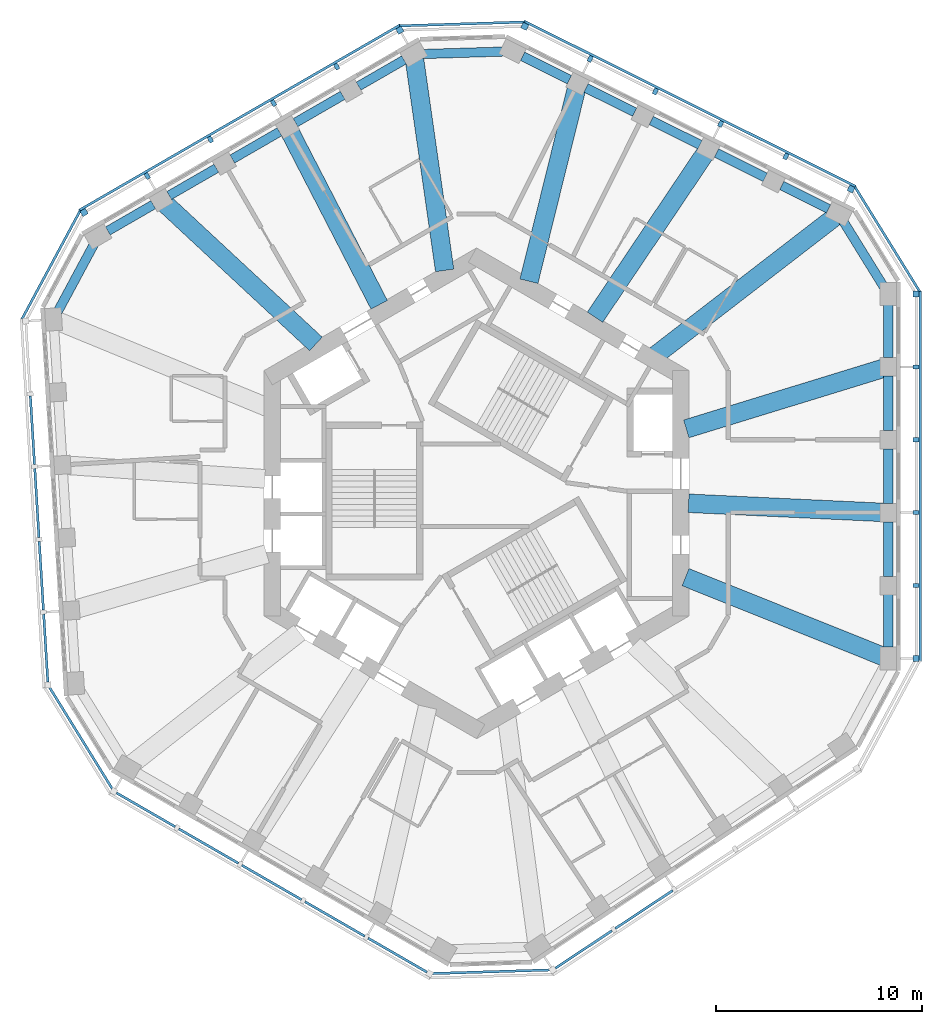
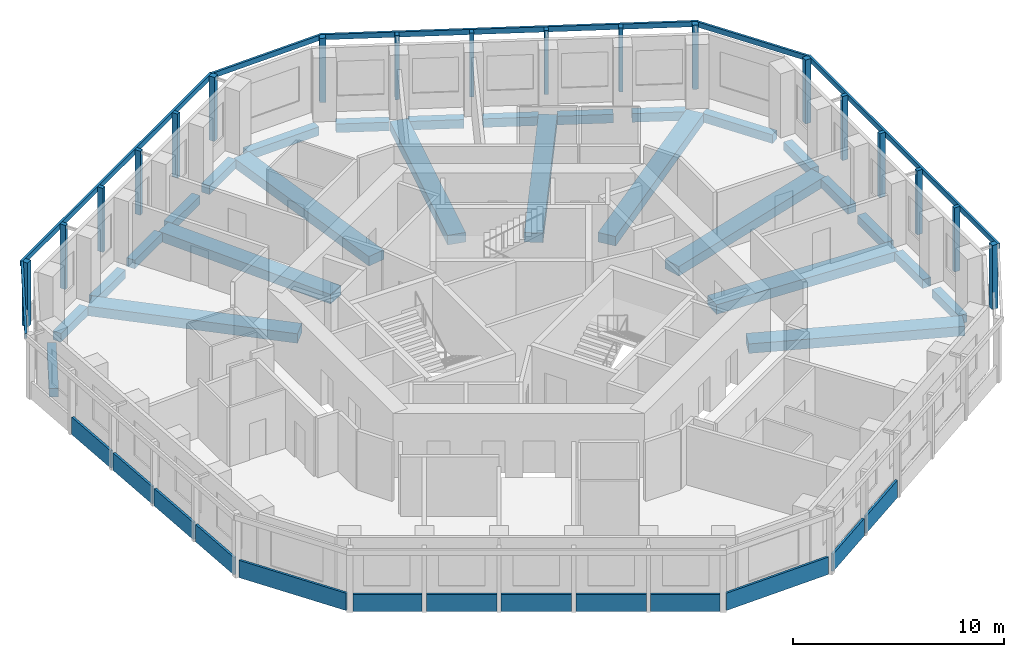
# One storey, part 2 of 11: 27 beams, 24 members, 13 plates, 11 elements without a shape of their own.
"""IFC4 building model written with IfcOpenShell, lengths in metres."""

from ifc_helpers import new_model, si_unit, direction, frame, origin, origin_2d, place, context, subcontext, project, spatial, rectangle, extrude, material, layer, layer_set, material_profile, profile_set, type_object, element, aggregate, save


model = new_model("IFC4")

# Units and contexts
model_context = context("Model", 3, precision=1e-05, world=origin(), true_north=direction((0.0, 1.0)))
body_context = subcontext(model_context, "Body", "Model", "MODEL_VIEW")
ifc_project = project(units=[si_unit("LENGTHUNIT", "METRE"), si_unit("AREAUNIT", "SQUARE_METRE"), si_unit("VOLUMEUNIT", "CUBIC_METRE"), si_unit("PLANEANGLEUNIT", "RADIAN"), si_unit("MASSUNIT", "GRAM", prefix="KILO")], contexts=[model_context])

# Site, building, storey
site_placement = place(None, origin())
site = spatial("IfcSite", under=ifc_project, at=site_placement, CompositionType="ELEMENT")
building_placement = place(site_placement, origin())
building = spatial("IfcBuilding", under=site, at=building_placement, Name="Vanh Sen Convention Tower", CompositionType="ELEMENT")
storey_placement = place(building_placement, frame((0.0, 0.0, 236.5)))
storey = spatial("IfcBuildingStorey", under=building, at=storey_placement, Name="L58", CompositionType="ELEMENT", Elevation=236.5)

# Curtain wall, members
ifc_material_1 = material(Name="Concrete C50/60", Category="concrete")
curtain_wall_type = type_object("IfcCurtainWallType", Name="Outer skin office zone", PredefinedType="NOTDEFINED", material=ifc_material_1)
curtain_wall_1_placement = place(storey_placement, origin())
curtain_wall_1 = element("IfcCurtainWall", 1, at=curtain_wall_1_placement, inside=storey, type_object=curtain_wall_type, Name="OUTER SKIN E L58", PredefinedType="NOTDEFINED")
ifc_material_profile_1 = material_profile(ifc_material_1, rectangle(XDim=0.300048828125, YDim=0.300048828125, at=origin_2d()), Name="Outer skin precast corner fin 300 x 300")
ifc_profile_set_1 = profile_set([ifc_material_profile_1], Name="Concrete C50/60")
member_type_1 = type_object("IfcMemberType", Name="Outer skin precast corner fin 300 x 300", PredefinedType="MULLION", material=ifc_profile_set_1)
member_1_placement = place(storey_placement, frame((21.300048828125, -8.002685546875, 0.0), z_axis=(0.0, 0.0, 1.0), x_axis=(0.0, 1.0, 0.0)))
member_1 = element("IfcMember", 2, at=member_1_placement, type_object=member_type_1, Name="OUTER SKIN CORNER FIN 1 E L58", PredefinedType="MULLION", context=body_context, shape_type="SweptSolid", body=[
    extrude(rectangle(XDim=0.300048828125, YDim=0.300048828125, at=origin_2d()), origin(), (0.0, 0.0, 1.0), 3.699951171875),
])
member_2_placement = place(storey_placement, frame((21.300048828125, 9.665283203125, 0.0), z_axis=(0.0, 0.0, 1.0), x_axis=(0.0, 1.0, 0.0)))
member_2 = element("IfcMember", 3, at=member_2_placement, type_object=member_type_1, Name="OUTER SKIN CORNER FIN 6 E L58", PredefinedType="MULLION", context=body_context, shape_type="SweptSolid", body=[
    extrude(rectangle(XDim=0.300048828125, YDim=0.300048828125, at=origin_2d()), origin(), (0.0, 0.0, 1.0), 3.699951171875),
])

curtain_wall_2_placement = place(storey_placement, origin())
curtain_wall_2 = element("IfcCurtainWall", 4, at=curtain_wall_2_placement, inside=storey, type_object=curtain_wall_type, Name="OUTER SKIN NE L58", PredefinedType="NOTDEFINED")
member_3_placement = place(storey_placement, frame((18.15380859375, 14.74951171875, 0.0), z_axis=(0.0, 0.0, 1.0), x_axis=(-0.894934361602, 0.44619781311, 0.0)))
member_3 = element("IfcMember", 5, at=member_3_placement, type_object=member_type_1, Name="OUTER SKIN CORNER FIN 1 NE L58", PredefinedType="MULLION", context=body_context, shape_type="SweptSolid", body=[
    extrude(rectangle(XDim=0.300048828125, YDim=0.300048828125, at=origin_2d()), origin(), (0.0, 0.0, 1.0), 3.699951171875),
])
member_4_placement = place(storey_placement, frame((2.342041015625, 22.633056640625, 0.0), z_axis=(0.0, 0.0, 1.0), x_axis=(-0.894934361602, 0.44619781311, 0.0)))
member_4 = element("IfcMember", 6, at=member_4_placement, type_object=member_type_1, Name="OUTER SKIN CORNER FIN 6 NE L58", PredefinedType="MULLION", context=body_context, shape_type="SweptSolid", body=[
    extrude(rectangle(XDim=0.300048828125, YDim=0.300048828125, at=origin_2d()), origin(), (0.0, 0.0, 1.0), 3.699951171875),
])

curtain_wall_3_placement = place(storey_placement, origin())
curtain_wall_3 = element("IfcCurtainWall", 7, at=curtain_wall_3_placement, inside=storey, type_object=curtain_wall_type, Name="OUTER SKIN NW L58", PredefinedType="NOTDEFINED")
member_5_placement = place(storey_placement, frame((-3.719482421875, 22.44775390625, 0.0), z_axis=(0.0, 0.0, 1.0), x_axis=(-0.866025403784, -0.5, 0.0)))
member_5 = element("IfcMember", 8, at=member_5_placement, type_object=member_type_1, Name="OUTER SKIN CORNER FIN 1 NW L58", PredefinedType="MULLION", context=body_context, shape_type="SweptSolid", body=[
    extrude(rectangle(XDim=0.300048828125, YDim=0.300048828125, at=origin_2d()), origin(), (0.0, 0.0, 1.0), 3.699951171875),
])
member_6_placement = place(storey_placement, frame((-19.0205078125, 13.613525390625, 0.0), z_axis=(0.0, 0.0, 1.0), x_axis=(-0.866025403784, -0.5, 0.0)))
member_6 = element("IfcMember", 9, at=member_6_placement, type_object=member_type_1, Name="OUTER SKIN CORNER FIN 6 NW L58", PredefinedType="MULLION", context=body_context, shape_type="SweptSolid", body=[
    extrude(rectangle(XDim=0.300048828125, YDim=0.300048828125, at=origin_2d()), origin(), (0.0, 0.0, 1.0), 3.699951171875),
])

# Member
ifc_material_profile_2 = material_profile(ifc_material_1, rectangle(XDim=0.199951171875, YDim=0.300048828125, at=origin_2d()), Name="Outer skin precast fin 200 x 300")
ifc_profile_set_2 = profile_set([ifc_material_profile_2], Name="Concrete C50/60")
member_type_2 = type_object("IfcMemberType", Name="Outer skin precast fin 200 x 300", PredefinedType="MULLION", material=ifc_profile_set_2)
member_7_placement = place(storey_placement, frame((21.300048828125, -4.46923828125, 0.0), z_axis=(0.0, 0.0, 1.0), x_axis=(0.0, 1.0, 0.0)))
member_7 = element("IfcMember", 10, at=member_7_placement, type_object=member_type_2, Name="OUTER SKIN fin 2 E L58", PredefinedType="MULLION", context=body_context, shape_type="SweptSolid", body=[
    extrude(rectangle(XDim=0.199951171875, YDim=0.300048828125, at=origin_2d()), origin(), (0.0, 0.0, 1.0), 3.699951171875),
])

member_8_placement = place(storey_placement, frame((21.300048828125, -0.935546875, 0.0), z_axis=(0.0, 0.0, 1.0), x_axis=(0.0, 1.0, 0.0)))
member_8 = element("IfcMember", 11, at=member_8_placement, type_object=member_type_2, Name="OUTER SKIN fin 3 E L58", PredefinedType="MULLION", context=body_context, shape_type="SweptSolid", body=[
    extrude(rectangle(XDim=0.199951171875, YDim=0.300048828125, at=origin_2d()), origin(), (0.0, 0.0, 1.0), 3.699951171875),
])

member_9_placement = place(storey_placement, frame((21.300048828125, 2.59814453125, 0.0), z_axis=(0.0, 0.0, 1.0), x_axis=(0.0, 1.0, 0.0)))
member_9 = element("IfcMember", 12, at=member_9_placement, type_object=member_type_2, Name="OUTER SKIN fin 4 E L58", PredefinedType="MULLION", context=body_context, shape_type="SweptSolid", body=[
    extrude(rectangle(XDim=0.199951171875, YDim=0.300048828125, at=origin_2d()), origin(), (0.0, 0.0, 1.0), 3.699951171875),
])

member_10_placement = place(storey_placement, frame((21.300048828125, 6.131591796875, 0.0), z_axis=(0.0, 0.0, 1.0), x_axis=(0.0, 1.0, 0.0)))
member_10 = element("IfcMember", 13, at=member_10_placement, type_object=member_type_2, Name="OUTER SKIN fin 5 E L58", PredefinedType="MULLION", context=body_context, shape_type="SweptSolid", body=[
    extrude(rectangle(XDim=0.199951171875, YDim=0.300048828125, at=origin_2d()), origin(), (0.0, 0.0, 1.0), 3.699951171875),
])

member_11_placement = place(storey_placement, frame((14.99169921875, 16.326171875, 0.0), z_axis=(0.0, 0.0, 1.0), x_axis=(-0.894934361602, 0.44619781311, 0.0)))
member_11 = element("IfcMember", 14, at=member_11_placement, type_object=member_type_2, Name="OUTER SKIN fin 2 NE L58", PredefinedType="MULLION", context=body_context, shape_type="SweptSolid", body=[
    extrude(rectangle(XDim=0.199951171875, YDim=0.300048828125, at=origin_2d()), origin(), (0.0, 0.0, 1.0), 3.699951171875),
])

member_12_placement = place(storey_placement, frame((11.8291015625, 17.90283203125, 0.0), z_axis=(0.0, 0.0, 1.0), x_axis=(-0.894934361602, 0.44619781311, 0.0)))
member_12 = element("IfcMember", 15, at=member_12_placement, type_object=member_type_2, Name="OUTER SKIN fin 3 NE L58", PredefinedType="MULLION", context=body_context, shape_type="SweptSolid", body=[
    extrude(rectangle(XDim=0.199951171875, YDim=0.300048828125, at=origin_2d()), origin(), (0.0, 0.0, 1.0), 3.699951171875),
])

member_13_placement = place(storey_placement, frame((8.666748046875, 19.4794921875, 0.0), z_axis=(0.0, 0.0, 1.0), x_axis=(-0.894934361602, 0.44619781311, 0.0)))
member_13 = element("IfcMember", 16, at=member_13_placement, type_object=member_type_2, Name="OUTER SKIN fin 4 NE L58", PredefinedType="MULLION", context=body_context, shape_type="SweptSolid", body=[
    extrude(rectangle(XDim=0.199951171875, YDim=0.300048828125, at=origin_2d()), origin(), (0.0, 0.0, 1.0), 3.699951171875),
])

member_14_placement = place(storey_placement, frame((5.50439453125, 21.056396484375, 0.0), z_axis=(0.0, 0.0, 1.0), x_axis=(-0.894934361602, 0.44619781311, 0.0)))
member_14 = element("IfcMember", 17, at=member_14_placement, type_object=member_type_2, Name="OUTER SKIN fin 5 NE L58", PredefinedType="MULLION", context=body_context, shape_type="SweptSolid", body=[
    extrude(rectangle(XDim=0.199951171875, YDim=0.300048828125, at=origin_2d()), origin(), (0.0, 0.0, 1.0), 3.699951171875),
])

member_15_placement = place(storey_placement, frame((-6.779541015625, 20.680908203125, 0.0), z_axis=(0.0, 0.0, 1.0), x_axis=(-0.866025403784, -0.5, 0.0)))
member_15 = element("IfcMember", 18, at=member_15_placement, type_object=member_type_2, Name="OUTER SKIN fin 2 NW L58", PredefinedType="MULLION", context=body_context, shape_type="SweptSolid", body=[
    extrude(rectangle(XDim=0.199951171875, YDim=0.300048828125, at=origin_2d()), origin(), (0.0, 0.0, 1.0), 3.699951171875),
])

member_16_placement = place(storey_placement, frame((-9.83984375, 18.9140625, 0.0), z_axis=(0.0, 0.0, 1.0), x_axis=(-0.866025403784, -0.5, 0.0)))
member_16 = element("IfcMember", 19, at=member_16_placement, type_object=member_type_2, Name="OUTER SKIN fin 3 NW L58", PredefinedType="MULLION", context=body_context, shape_type="SweptSolid", body=[
    extrude(rectangle(XDim=0.199951171875, YDim=0.300048828125, at=origin_2d()), origin(), (0.0, 0.0, 1.0), 3.699951171875),
])

member_17_placement = place(storey_placement, frame((-12.89990234375, 17.147216796875, 0.0), z_axis=(0.0, 0.0, 1.0), x_axis=(-0.866025403784, -0.5, 0.0)))
member_17 = element("IfcMember", 20, at=member_17_placement, type_object=member_type_2, Name="OUTER SKIN fin 4 NW L58", PredefinedType="MULLION", context=body_context, shape_type="SweptSolid", body=[
    extrude(rectangle(XDim=0.199951171875, YDim=0.300048828125, at=origin_2d()), origin(), (0.0, 0.0, 1.0), 3.699951171875),
])

member_18_placement = place(storey_placement, frame((-15.960205078125, 15.38037109375, 0.0), z_axis=(0.0, 0.0, 1.0), x_axis=(-0.866025403784, -0.5, 0.0)))
member_18 = element("IfcMember", 21, at=member_18_placement, type_object=member_type_2, Name="OUTER SKIN fin 5 NW L58", PredefinedType="MULLION", context=body_context, shape_type="SweptSolid", body=[
    extrude(rectangle(XDim=0.199951171875, YDim=0.300048828125, at=origin_2d()), origin(), (0.0, 0.0, 1.0), 3.699951171875),
])

ifc_material_profile_3 = material_profile(ifc_material_1, rectangle(XDim=0.1201171875, YDim=0.300048828125, at=origin_2d()), Name="Outer skin precast spandrel band 300 x 120")
ifc_profile_set_3 = profile_set([ifc_material_profile_3], Name="Concrete C50/60")
member_type_3 = type_object("IfcMemberType", Name="Outer skin precast spandrel band 300 x 120", PredefinedType="USERDEFINED", material=ifc_profile_set_3)
member_19_placement = place(storey_placement, frame((21.510009765625, -8.15283203125, 3.550048828125), z_axis=(0.0, 1.0, 0.0), x_axis=(-1.0, 0.0, 0.0)))
member_19 = element("IfcMember", 22, at=member_19_placement, type_object=member_type_3, Name="OUTER SKIN spandrel band E L58", ObjectType="TRANSOM", PredefinedType="USERDEFINED", context=body_context, shape_type="SweptSolid", body=[
    extrude(rectangle(XDim=0.1201171875, YDim=0.300048828125, at=origin_2d()), origin(), (0.0, 0.0, 1.0), 17.96826171875),
])

aggregate(curtain_wall_1, [member_1, member_7, member_8, member_9, member_10, member_2, member_19])

# Curtain wall, member
curtain_wall_4_placement = place(storey_placement, origin())
curtain_wall_4 = element("IfcCurtainWall", 23, at=curtain_wall_4_placement, inside=storey, type_object=curtain_wall_type, Name="OUTER SKIN CH1 L58", PredefinedType="NOTDEFINED")
member_20_placement = place(storey_placement, frame((21.478515625, 9.77587890625, 3.550048828125), z_axis=(-0.526187318786, 0.850368688011, 0.0), x_axis=(-0.850368688011, -0.526187318786, 0.0)))
member_20 = element("IfcMember", 24, at=member_20_placement, type_object=member_type_3, Name="OUTER SKIN spandrel band CH1 L58", ObjectType="TRANSOM", PredefinedType="USERDEFINED", context=body_context, shape_type="SweptSolid", body=[
    extrude(rectangle(XDim=0.1201171875, YDim=0.300048828125, at=origin_2d()), origin(), (0.0, 0.0, 1.0), 5.978759765625),
])
aggregate(curtain_wall_4, [member_20])

# Member
member_21_placement = place(storey_placement, frame((18.3818359375, 14.87060546875, 3.550048828125), z_axis=(-0.894940208367, 0.446186086121, 0.0), x_axis=(-0.446186086121, -0.894940208367, 0.0)))
member_21 = element("IfcMember", 25, at=member_21_placement, type_object=member_type_3, Name="OUTER SKIN spandrel band NE L58", ObjectType="TRANSOM", PredefinedType="USERDEFINED", context=body_context, shape_type="SweptSolid", body=[
    extrude(rectangle(XDim=0.1201171875, YDim=0.300048828125, at=origin_2d()), origin(), (0.0, 0.0, 1.0), 17.968017578125),
])

aggregate(curtain_wall_2, [member_3, member_11, member_12, member_13, member_14, member_4, member_21])

# Curtain wall, member
curtain_wall_5_placement = place(storey_placement, origin())
curtain_wall_5 = element("IfcCurtainWall", 26, at=curtain_wall_5_placement, inside=storey, type_object=curtain_wall_type, Name="OUTER SKIN CH2 L58", PredefinedType="NOTDEFINED")
member_22_placement = place(storey_placement, frame((2.335693359375, 22.843017578125, 3.550048828125), z_axis=(-0.999533054911, -0.030556049165, 0.0), x_axis=(0.030556049165, -0.999533054911, 0.0)))
member_22 = element("IfcMember", 27, at=member_22_placement, type_object=member_type_3, Name="OUTER SKIN spandrel band CH2 L58", ObjectType="TRANSOM", PredefinedType="USERDEFINED", context=body_context, shape_type="SweptSolid", body=[
    extrude(rectangle(XDim=0.1201171875, YDim=0.300048828125, at=origin_2d()), origin(), (0.0, 0.0, 1.0), 6.064453125),
])
aggregate(curtain_wall_5, [member_22])

# Member
member_23_placement = place(storey_placement, frame((-3.694580078125, 22.70458984375, 3.550048828125), z_axis=(-0.866022898019, -0.500004340088, 0.0), x_axis=(0.500004340088, -0.866022898019, 0.0)))
member_23 = element("IfcMember", 28, at=member_23_placement, type_object=member_type_3, Name="OUTER SKIN spandrel band NW L58", ObjectType="TRANSOM", PredefinedType="USERDEFINED", context=body_context, shape_type="SweptSolid", body=[
    extrude(rectangle(XDim=0.1201171875, YDim=0.300048828125, at=origin_2d()), origin(), (0.0, 0.0, 1.0), 17.968017578125),
])

aggregate(curtain_wall_3, [member_5, member_15, member_16, member_17, member_18, member_6, member_23])

# Curtain wall, member
curtain_wall_6_placement = place(storey_placement, origin())
curtain_wall_6 = element("IfcCurtainWall", 29, at=curtain_wall_6_placement, inside=storey, type_object=curtain_wall_type, Name="OUTER SKIN CH3 L58", PredefinedType="NOTDEFINED")
member_24_placement = place(storey_placement, frame((-19.20556640625, 13.712890625, 3.550048828125), z_axis=(-0.473317965247, -0.880891652688, 0.0), x_axis=(0.880891652688, -0.473317965247, 0.0)))
member_24 = element("IfcMember", 30, at=member_24_placement, type_object=member_type_3, Name="OUTER SKIN spandrel band CH3 L58", ObjectType="TRANSOM", PredefinedType="USERDEFINED", context=body_context, shape_type="SweptSolid", body=[
    extrude(rectangle(XDim=0.1201171875, YDim=0.300048828125, at=origin_2d()), origin(), (0.0, 0.0, 1.0), 5.978759765625),
])
aggregate(curtain_wall_6, [member_24])

# Beams
ifc_material_2 = material(Name="Concrete C50/60", Category="concrete")
ifc_material_profile_4 = material_profile(ifc_material_2, rectangle(XDim=0.89990234375, YDim=0.550048828125, at=origin_2d()), Name="RC 900X550")
ifc_profile_set_4 = profile_set([ifc_material_profile_4], Name="Concrete C50/60")
beam_type_1 = type_object("IfcBeamType", Name="Radial floor beam 900 x 550", PredefinedType="BEAM", material=ifc_profile_set_4)
beam_1_placement = place(storey_placement, frame((19.72216796875, -7.911376953125, -0.554931640625), z_axis=(-0.928114670257, 0.372294451816, 0.0), x_axis=(-0.372294451816, -0.928114670257, 0.0)))
element("IfcBeam", 31, at=beam_1_placement, inside=storey, type_object=beam_type_1, Name="Radial beam 01 L58", PredefinedType="BEAM", context=body_context, shape_type="SweptSolid", body=[
    extrude(rectangle(XDim=0.89990234375, YDim=0.550048828125, at=origin_2d()), origin(), (0.0, 0.0, 1.0), 10.337646484375),
])
beam_2_placement = place(storey_placement, frame((19.944580078125, -0.935302734375, -0.554931640625), z_axis=(-0.998901717951, 0.046854646233, 0.0), x_axis=(-0.046854646233, -0.998901717951, 0.0)))
element("IfcBeam", 32, at=beam_2_placement, inside=storey, type_object=beam_type_1, Name="Radial beam 02 L58", PredefinedType="BEAM", context=body_context, shape_type="SweptSolid", body=[
    extrude(rectangle(XDim=0.89990234375, YDim=0.550048828125, at=origin_2d()), origin(), (0.0, 0.0, 1.0), 9.681396484375),
])
beam_3_placement = place(storey_placement, frame((19.89013671875, 6.11328125, -0.554931640625), z_axis=(-0.955867150523, -0.293799235111, 0.0), x_axis=(0.293799235111, -0.955867150523, 0.0)))
element("IfcBeam", 33, at=beam_3_placement, inside=storey, type_object=beam_type_1, Name="Radial beam 03 L58", PredefinedType="BEAM", context=body_context, shape_type="SweptSolid", body=[
    extrude(rectangle(XDim=0.89990234375, YDim=0.550048828125, at=origin_2d()), origin(), (0.0, 0.0, 1.0), 10.17626953125),
])
beam_4_placement = place(storey_placement, frame((17.376220703125, 13.406005859375, -0.554931640625), z_axis=(-0.79175189304, -0.610842811096, 0.0), x_axis=(0.610842811096, -0.79175189304, 0.0)))
element("IfcBeam", 34, at=beam_4_placement, inside=storey, type_object=beam_type_1, Name="Radial beam 04 L58", PredefinedType="BEAM", context=body_context, shape_type="SweptSolid", body=[
    extrude(rectangle(XDim=0.89990234375, YDim=0.550048828125, at=origin_2d()), origin(), (0.0, 0.0, 1.0), 11.0),
])
beam_5_placement = place(storey_placement, frame((11.21337890625, 16.6748046875, -0.554931640625), z_axis=(-0.558028035839, -0.829822096125, 0.0), x_axis=(0.829822096125, -0.558028035839, 0.0)))
element("IfcBeam", 35, at=beam_5_placement, inside=storey, type_object=beam_type_1, Name="Radial beam 05 L58", PredefinedType="BEAM", context=body_context, shape_type="SweptSolid", body=[
    extrude(rectangle(XDim=0.89990234375, YDim=0.550048828125, at=origin_2d()), origin(), (0.0, 0.0, 1.0), 9.80615234375),
])
beam_6_placement = place(storey_placement, frame((4.891357421875, 19.8046875, -0.554931640625), z_axis=(-0.239789122055, -0.970824998104, 0.0), x_axis=(0.970824998104, -0.239789122055, 0.0)))
element("IfcBeam", 36, at=beam_6_placement, inside=storey, type_object=beam_type_1, Name="Radial beam 06 L58", PredefinedType="BEAM", context=body_context, shape_type="SweptSolid", body=[
    extrude(rectangle(XDim=0.89990234375, YDim=0.550048828125, at=origin_2d()), origin(), (0.0, 0.0, 1.0), 9.81298828125),
])
beam_7_placement = place(storey_placement, frame((-3.009521484375, 21.03564453125, -0.554931640625), z_axis=(0.141629652846, -0.989919714641, 0.0), x_axis=(0.989919714641, 0.141629652846, 0.0)))
element("IfcBeam", 37, at=beam_7_placement, inside=storey, type_object=beam_type_1, Name="Radial beam 07 L58", PredefinedType="BEAM", context=body_context, shape_type="SweptSolid", body=[
    extrude(rectangle(XDim=0.89990234375, YDim=0.550048828125, at=origin_2d()), origin(), (0.0, 0.0, 1.0), 10.337646484375),
])
beam_8_placement = place(storey_placement, frame((-9.162353515625, 17.740234375, -0.554931640625), z_axis=(0.458886355863, -0.888494970387, 0.0), x_axis=(0.888494970387, 0.458886355863, 0.0)))
element("IfcBeam", 38, at=beam_8_placement, inside=storey, type_object=beam_type_1, Name="Radial beam 08 L58", PredefinedType="BEAM", context=body_context, shape_type="SweptSolid", body=[
    extrude(rectangle(XDim=0.89990234375, YDim=0.550048828125, at=origin_2d()), origin(), (0.0, 0.0, 1.0), 9.681396484375),
])
beam_9_placement = place(storey_placement, frame((-15.239501953125, 14.168701171875, -0.554931640625), z_axis=(0.732368678004, -0.680908304751, 0.0), x_axis=(0.680908304751, 0.732368678004, 0.0)))
element("IfcBeam", 39, at=beam_9_placement, inside=storey, type_object=beam_type_1, Name="Radial beam 09 L58", PredefinedType="BEAM", context=body_context, shape_type="SweptSolid", body=[
    extrude(rectangle(XDim=0.89990234375, YDim=0.550048828125, at=origin_2d()), origin(), (0.0, 0.0, 1.0), 10.176513671875),
])
ifc_material_profile_5 = material_profile(ifc_material_2, rectangle(XDim=0.449951171875, YDim=0.5, at=origin_2d()), Name="RC 450X500")
ifc_profile_set_5 = profile_set([ifc_material_profile_5], Name="Concrete C50/60")
beam_type_2 = type_object("IfcBeamType", Name="Spandrel beam 450 x 500", PredefinedType="SPANDREL", material=ifc_profile_set_5)
beam_10_placement = place(storey_placement, frame((19.949951171875, -7.457763671875, -0.530029296875), z_axis=(0.0, 1.0, 0.0), x_axis=(-1.0, 0.0, 0.0)))
element("IfcBeam", 40, at=beam_10_placement, inside=storey, type_object=beam_type_2, Name="Spandrel beam 01 L58", PredefinedType="SPANDREL", context=body_context, shape_type="SweptSolid", body=[
    extrude(rectangle(XDim=0.449951171875, YDim=0.5, at=origin_2d()), origin(), (0.0, 0.0, 1.0), 2.54345703125),
])
for number, where, z_axis, x_axis, name in (
    (41, (19.949951171875, -4.024169921875, -0.530029296875), (0.0, 1.0, 0.0), (-1.0, 0.0, 0.0), "Spandrel beam 02 L58"),
    (42, (19.949951171875, -0.490478515625, -0.530029296875), (0.0, 1.0, 0.0), (-1.0, 0.0, 0.0), "Spandrel beam 03 L58"),
    (43, (19.949951171875, 3.043212890625, -0.530029296875), (0.0, 1.0, 0.0), (-1.0, 0.0, 0.0), "Spandrel beam 04 L58"),
):
    element("IfcBeam", number, at=place(storey_placement, frame(where, z_axis=z_axis, x_axis=x_axis)), inside=storey, type_object=beam_type_2, Name=name, PredefinedType="SPANDREL", context=body_context, shape_type="SweptSolid", body=[
        extrude(rectangle(XDim=0.449951171875, YDim=0.5, at=origin_2d()), origin(), (0.0, 0.0, 1.0), 2.6435546875),
    ])
beam_11_placement = place(storey_placement, frame((19.949951171875, 6.57666015625, -0.530029296875), z_axis=(0.0, 1.0, 0.0), x_axis=(-1.0, 0.0, 0.0)))
element("IfcBeam", 44, at=beam_11_placement, inside=storey, type_object=beam_type_2, Name="Spandrel beam 05 L58", PredefinedType="SPANDREL", context=body_context, shape_type="SweptSolid", body=[
    extrude(rectangle(XDim=0.449951171875, YDim=0.5, at=origin_2d()), origin(), (0.0, 0.0, 1.0), 2.543701171875),
])
beam_12_placement = place(storey_placement, frame((19.743896484375, 9.998291015625, -0.530029296875), z_axis=(-0.526203201027, 0.850358860264, 0.0), x_axis=(-0.850358860264, -0.526203201027, 0.0)))
element("IfcBeam", 45, at=beam_12_placement, inside=storey, type_object=beam_type_2, Name="Spandrel beam 06 L58", PredefinedType="SPANDREL", context=body_context, shape_type="SweptSolid", body=[
    extrude(rectangle(XDim=0.449951171875, YDim=0.5, at=origin_2d()), origin(), (0.0, 0.0, 1.0), 3.77490234375),
])
beam_13_placement = place(storey_placement, frame((17.063720703125, 13.784423828125, -0.530029296875), z_axis=(-0.894925734573, 0.446215115834, 0.0), x_axis=(-0.446215115834, -0.894925734573, 0.0)))
element("IfcBeam", 46, at=beam_13_placement, inside=storey, type_object=beam_type_2, Name="Spandrel beam 07 L58", PredefinedType="SPANDREL", context=body_context, shape_type="SweptSolid", body=[
    extrude(rectangle(XDim=0.449951171875, YDim=0.5, at=origin_2d()), origin(), (0.0, 0.0, 1.0), 2.543701171875),
])
for number, where, z_axis, x_axis, name in (
    (47, (13.990966796875, 15.31640625, -0.530029296875), (-0.894925303477, 0.446215980436, 0.0), (-0.446215980436, -0.894925303477, 0.0), "Spandrel beam 08 L58"),
    (48, (10.82861328125, 16.893310546875, -0.530029296875), (-0.894925303477, 0.446215980436, 0.0), (-0.446215980436, -0.894925303477, 0.0), "Spandrel beam 09 L58"),
    (49, (7.666259765625, 18.469970703125, -0.530029296875), (-0.894925303477, 0.446215980436, 0.0), (-0.446215980436, -0.894925303477, 0.0), "Spandrel beam 10 L58"),
):
    element("IfcBeam", number, at=place(storey_placement, frame(where, z_axis=z_axis, x_axis=x_axis)), inside=storey, type_object=beam_type_2, Name=name, PredefinedType="SPANDREL", context=body_context, shape_type="SweptSolid", body=[
        extrude(rectangle(XDim=0.449951171875, YDim=0.5, at=origin_2d()), origin(), (0.0, 0.0, 1.0), 2.643798828125),
    ])
beam_14_placement = place(storey_placement, frame((4.50390625, 20.046630859375, -0.530029296875), z_axis=(-0.894944842666, 0.44617679073, 0.0), x_axis=(-0.44617679073, -0.894944842666, 0.0)))
element("IfcBeam", 50, at=beam_14_placement, inside=storey, type_object=beam_type_2, Name="Spandrel beam 11 L58", PredefinedType="SPANDREL", context=body_context, shape_type="SweptSolid", body=[
    extrude(rectangle(XDim=0.449951171875, YDim=0.5, at=origin_2d()), origin(), (0.0, 0.0, 1.0), 2.5439453125),
])
beam_15_placement = place(storey_placement, frame((1.318603515625, 21.411865234375, -0.530029296875), z_axis=(-0.999534166839, -0.030519654667, 0.0), x_axis=(0.030519654667, -0.999534166839, 0.0)))
element("IfcBeam", 51, at=beam_15_placement, inside=storey, type_object=beam_type_2, Name="Spandrel beam 12 L58", PredefinedType="SPANDREL", context=body_context, shape_type="SweptSolid", body=[
    extrude(rectangle(XDim=0.449951171875, YDim=0.5, at=origin_2d()), origin(), (0.0, 0.0, 1.0), 3.94384765625),
])
beam_16_placement = place(storey_placement, frame((-3.516357421875, 21.006103515625, -0.530029296875), z_axis=(-0.866043336059, -0.499968939103, 0.0), x_axis=(0.499968939103, -0.866043336059, 0.0)))
element("IfcBeam", 52, at=beam_16_placement, inside=storey, type_object=beam_type_2, Name="Spandrel beam 13 L58", PredefinedType="SPANDREL", context=body_context, shape_type="SweptSolid", body=[
    extrude(rectangle(XDim=0.449951171875, YDim=0.5, at=origin_2d()), origin(), (0.0, 0.0, 1.0), 2.543701171875),
])
for number, where, z_axis, x_axis, name in (
    (53, (-6.489990234375, 19.289306640625, -0.530029296875), (-0.866017944311, -0.500012919964, 0.0), (0.500012919964, -0.866017944311, 0.0), "Spandrel beam 14 L58"),
    (54, (-9.55029296875, 17.5224609375, -0.530029296875), (-0.866017944311, -0.500012919964, 0.0), (0.500012919964, -0.866017944311, 0.0), "Spandrel beam 15 L58"),
):
    element("IfcBeam", number, at=place(storey_placement, frame(where, z_axis=z_axis, x_axis=x_axis)), inside=storey, type_object=beam_type_2, Name=name, PredefinedType="SPANDREL", context=body_context, shape_type="SweptSolid", body=[
        extrude(rectangle(XDim=0.449951171875, YDim=0.5, at=origin_2d()), origin(), (0.0, 0.0, 1.0), 2.6435546875),
    ])
beam_17_placement = place(storey_placement, frame((-12.6103515625, 15.755615234375, -0.530029296875), z_axis=(-0.866041031621, -0.499972930816, 0.0), x_axis=(0.499972930816, -0.866041031621, 0.0)))
element("IfcBeam", 55, at=beam_17_placement, inside=storey, type_object=beam_type_2, Name="Spandrel beam 16 L58", PredefinedType="SPANDREL", context=body_context, shape_type="SweptSolid", body=[
    extrude(rectangle(XDim=0.449951171875, YDim=0.5, at=origin_2d()), origin(), (0.0, 0.0, 1.0), 2.643798828125),
])
beam_18_placement = place(storey_placement, frame((-15.670654296875, 13.98876953125, -0.530029296875), z_axis=(-0.866043336059, -0.499968939103, 0.0), x_axis=(0.499968939103, -0.866043336059, 0.0)))
element("IfcBeam", 56, at=beam_18_placement, inside=storey, type_object=beam_type_2, Name="Spandrel beam 17 L58", PredefinedType="SPANDREL", context=body_context, shape_type="SweptSolid", body=[
    extrude(rectangle(XDim=0.449951171875, YDim=0.5, at=origin_2d()), origin(), (0.0, 0.0, 1.0), 2.543701171875),
])
beam_19_placement = place(storey_placement, frame((-18.53076171875, 12.099609375, -0.530029296875), z_axis=(-0.473305113601, -0.880898557973, 0.0), x_axis=(0.880898557973, -0.473305113601, 0.0)))
element("IfcBeam", 57, at=beam_19_placement, inside=storey, type_object=beam_type_2, Name="Spandrel beam 18 L58", PredefinedType="SPANDREL", context=body_context, shape_type="SweptSolid", body=[
    extrude(rectangle(XDim=0.449951171875, YDim=0.5, at=origin_2d()), origin(), (0.0, 0.0, 1.0), 3.774658203125),
])

# Curtain wall, plates
curtain_wall_7_placement = place(storey_placement, origin())
curtain_wall_7 = element("IfcCurtainWall", 58, at=curtain_wall_7_placement, inside=storey, type_object=curtain_wall_type, Name="OUTER SKIN W L58", PredefinedType="NOTDEFINED")
ifc_layer = layer(ifc_material_1, 0.1201171875)
ifc_layer_set = layer_set([ifc_layer], Name="Concrete C50/60")
plate_type = type_object("IfcPlateType", Name="Outer skin precast screen panel 120", PredefinedType="CURTAIN_PANEL", material=ifc_layer_set)
plate_1_placement = place(storey_placement, frame((-21.526611328125, 3.056396484375, 0.0), z_axis=(0.0, 0.0, 1.0), x_axis=(0.061041571238, -0.998135224597, 0.0)))
plate_1 = element("IfcPlate", 59, at=plate_1_placement, type_object=plate_type, Name="OUTER SKIN screen panel W-2", PredefinedType="CURTAIN_PANEL", context=body_context, shape_type="SweptSolid", body=[
    extrude(rectangle(XDim=3.333740234375, YDim=0.1201171875, at=origin_2d()), origin(), (0.0, 0.0, 1.0), 1.0),
])
plate_2_placement = place(storey_placement, frame((-21.31103515625, -0.470703125, 0.0), z_axis=(0.0, 0.0, 1.0), x_axis=(0.061043313312, -0.998135118058, 0.0)))
plate_2 = element("IfcPlate", 60, at=plate_2_placement, type_object=plate_type, Name="OUTER SKIN screen panel W-3", PredefinedType="CURTAIN_PANEL", context=body_context, shape_type="SweptSolid", body=[
    extrude(rectangle(XDim=3.33349609375, YDim=0.1201171875, at=origin_2d()), origin(), (0.0, 0.0, 1.0), 1.0),
])
plate_3_placement = place(storey_placement, frame((-21.09521484375, -3.99755859375, 0.0), z_axis=(0.0, 0.0, 1.0), x_axis=(0.061043313312, -0.998135118058, 0.0)))
plate_3 = element("IfcPlate", 61, at=plate_3_placement, type_object=plate_type, Name="OUTER SKIN screen panel W-4", PredefinedType="CURTAIN_PANEL", context=body_context, shape_type="SweptSolid", body=[
    extrude(rectangle(XDim=3.33349609375, YDim=0.1201171875, at=origin_2d()), origin(), (0.0, 0.0, 1.0), 1.0),
])
plate_4_placement = place(storey_placement, frame((-20.881103515625, -7.499755859375, 0.0), z_axis=(0.0, 0.0, 1.0), x_axis=(0.061069444408, -0.998133519605, 0.0)))
plate_4 = element("IfcPlate", 62, at=plate_4_placement, type_object=plate_type, Name="OUTER SKIN screen panel W-5", PredefinedType="CURTAIN_PANEL", context=body_context, shape_type="SweptSolid", body=[
    extrude(rectangle(XDim=3.28369140625, YDim=0.1201171875, at=origin_2d()), origin(), (0.0, 0.0, 1.0), 1.0),
])
aggregate(curtain_wall_7, [plate_1, plate_2, plate_3, plate_4])

# Curtain wall, plate
curtain_wall_8_placement = place(storey_placement, origin())
curtain_wall_8 = element("IfcCurtainWall", 63, at=curtain_wall_8_placement, inside=storey, type_object=curtain_wall_type, Name="OUTER SKIN CH4 L58", PredefinedType="NOTDEFINED")
plate_5_placement = place(storey_placement, frame((-19.176025390625, -11.86669921875, 0.0), z_axis=(0.0, 0.0, 1.0), x_axis=(0.526215407796, -0.850351306578, 0.0)))
plate_5 = element("IfcPlate", 64, at=plate_5_placement, type_object=plate_type, Name="OUTER SKIN screen panel CH4-1", PredefinedType="CURTAIN_PANEL", context=body_context, shape_type="SweptSolid", body=[
    extrude(rectangle(XDim=5.76416015625, YDim=0.1201171875, at=origin_2d()), origin(), (0.0, 0.0, 1.0), 1.0),
])
aggregate(curtain_wall_8, [plate_5])

# Curtain wall, plates
curtain_wall_9_placement = place(storey_placement, origin())
curtain_wall_9 = element("IfcCurtainWall", 65, at=curtain_wall_9_placement, inside=storey, type_object=curtain_wall_type, Name="OUTER SKIN SW L58", PredefinedType="NOTDEFINED")
plate_6_placement = place(storey_placement, frame((-16.02880859375, -15.3408203125, 0.0), z_axis=(0.0, 0.0, 1.0), x_axis=(0.866026276448, -0.4999984885, 0.0)))
plate_6 = element("IfcPlate", 66, at=plate_6_placement, type_object=plate_type, Name="OUTER SKIN screen panel SW-1", PredefinedType="CURTAIN_PANEL", context=body_context, shape_type="SweptSolid", body=[
    extrude(rectangle(XDim=3.28369140625, YDim=0.1201171875, at=origin_2d()), origin(), (0.0, 0.0, 1.0), 1.0),
])
plate_7_placement = place(storey_placement, frame((-12.990234375, -17.09521484375, 0.0), z_axis=(0.0, 0.0, 1.0), x_axis=(0.866026276448, -0.4999984885, 0.0)))
plate_7 = element("IfcPlate", 67, at=plate_7_placement, type_object=plate_type, Name="OUTER SKIN screen panel SW-2", PredefinedType="CURTAIN_PANEL", context=body_context, shape_type="SweptSolid", body=[
    extrude(rectangle(XDim=3.33349609375, YDim=0.1201171875, at=origin_2d()), origin(), (0.0, 0.0, 1.0), 1.0),
])
plate_8_placement = place(storey_placement, frame((-9.93017578125, -18.862060546875, 0.0), z_axis=(0.0, 0.0, 1.0), x_axis=(0.866014058921, -0.500019649364, 0.0)))
plate_8 = element("IfcPlate", 68, at=plate_8_placement, type_object=plate_type, Name="OUTER SKIN screen panel SW-3", PredefinedType="CURTAIN_PANEL", context=body_context, shape_type="SweptSolid", body=[
    extrude(rectangle(XDim=3.333740234375, YDim=0.1201171875, at=origin_2d()), origin(), (0.0, 0.0, 1.0), 1.0),
])
plate_9_placement = place(storey_placement, frame((-6.869873046875, -20.62890625, 0.0), z_axis=(0.0, 0.0, 1.0), x_axis=(0.866026276448, -0.4999984885, 0.0)))
plate_9 = element("IfcPlate", 69, at=plate_9_placement, type_object=plate_type, Name="OUTER SKIN screen panel SW-4", PredefinedType="CURTAIN_PANEL", context=body_context, shape_type="SweptSolid", body=[
    extrude(rectangle(XDim=3.33349609375, YDim=0.1201171875, at=origin_2d()), origin(), (0.0, 0.0, 1.0), 1.0),
])
plate_10_placement = place(storey_placement, frame((-3.831298828125, -22.383056640625, 0.0), z_axis=(0.0, 0.0, 1.0), x_axis=(0.866033257659, -0.499986396443, 0.0)))
plate_10 = element("IfcPlate", 70, at=plate_10_placement, type_object=plate_type, Name="OUTER SKIN screen panel SW-5", PredefinedType="CURTAIN_PANEL", context=body_context, shape_type="SweptSolid", body=[
    extrude(rectangle(XDim=3.28369140625, YDim=0.1201171875, at=origin_2d()), origin(), (0.0, 0.0, 1.0), 1.0),
])
aggregate(curtain_wall_9, [plate_6, plate_7, plate_8, plate_9, plate_10])

# Curtain wall, plate
curtain_wall_10_placement = place(storey_placement, origin())
curtain_wall_10 = element("IfcCurtainWall", 71, at=curtain_wall_10_placement, inside=storey, type_object=curtain_wall_type, Name="OUTER SKIN CH5 L58", PredefinedType="NOTDEFINED")
plate_11_placement = place(storey_placement, frame((0.70849609375, -23.187744140625, 0.0), z_axis=(0.0, 0.0, 1.0), x_axis=(0.999533537535, 0.030540257725, 0.0)))
plate_11 = element("IfcPlate", 72, at=plate_11_placement, type_object=plate_type, Name="OUTER SKIN screen panel CH5-1", PredefinedType="CURTAIN_PANEL", context=body_context, shape_type="SweptSolid", body=[
    extrude(rectangle(XDim=5.6787109375, YDim=0.1201171875, at=origin_2d()), origin(), (0.0, 0.0, 1.0), 1.0),
])
aggregate(curtain_wall_10, [plate_11])

# Curtain wall, plates
curtain_wall_11_placement = place(storey_placement, origin())
curtain_wall_11 = element("IfcCurtainWall", 73, at=curtain_wall_11_placement, inside=storey, type_object=curtain_wall_type, Name="OUTER SKIN SE L58", PredefinedType="NOTDEFINED")
plate_12_placement = place(storey_placement, frame((5.190673828125, -22.107421875, 0.0), z_axis=(0.0, 0.0, 1.0), x_axis=(0.833896418343, 0.551920975752, 0.0)))
plate_12 = element("IfcPlate", 74, at=plate_12_placement, type_object=plate_type, Name="OUTER SKIN screen panel SE-1", PredefinedType="CURTAIN_PANEL", context=body_context, shape_type="SweptSolid", body=[
    extrude(rectangle(XDim=3.28369140625, YDim=0.1201171875, at=origin_2d()), origin(), (0.0, 0.0, 1.0), 1.0),
])
plate_13_placement = place(storey_placement, frame((8.116455078125, -20.1708984375, 0.0), z_axis=(0.0, 0.0, 1.0), x_axis=(0.833874262143, 0.551954450055, 0.0)))
plate_13 = element("IfcPlate", 75, at=plate_13_placement, type_object=plate_type, Name="OUTER SKIN screen panel SE-2", PredefinedType="CURTAIN_PANEL", context=body_context, shape_type="SweptSolid", body=[
    extrude(rectangle(XDim=3.33349609375, YDim=0.1201171875, at=origin_2d()), origin(), (0.0, 0.0, 1.0), 1.0),
])
aggregate(curtain_wall_11, [plate_12, plate_13])

save(model, "model.ifc")
